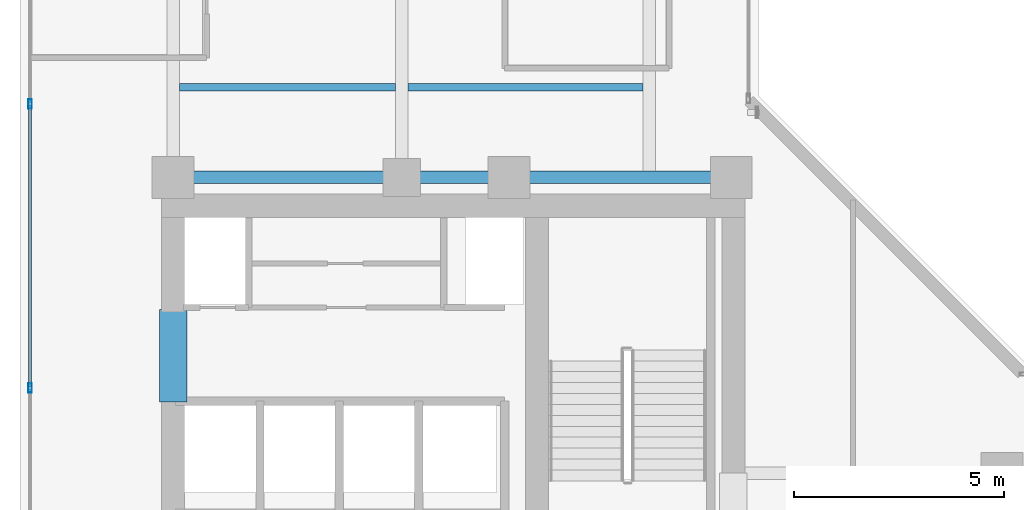
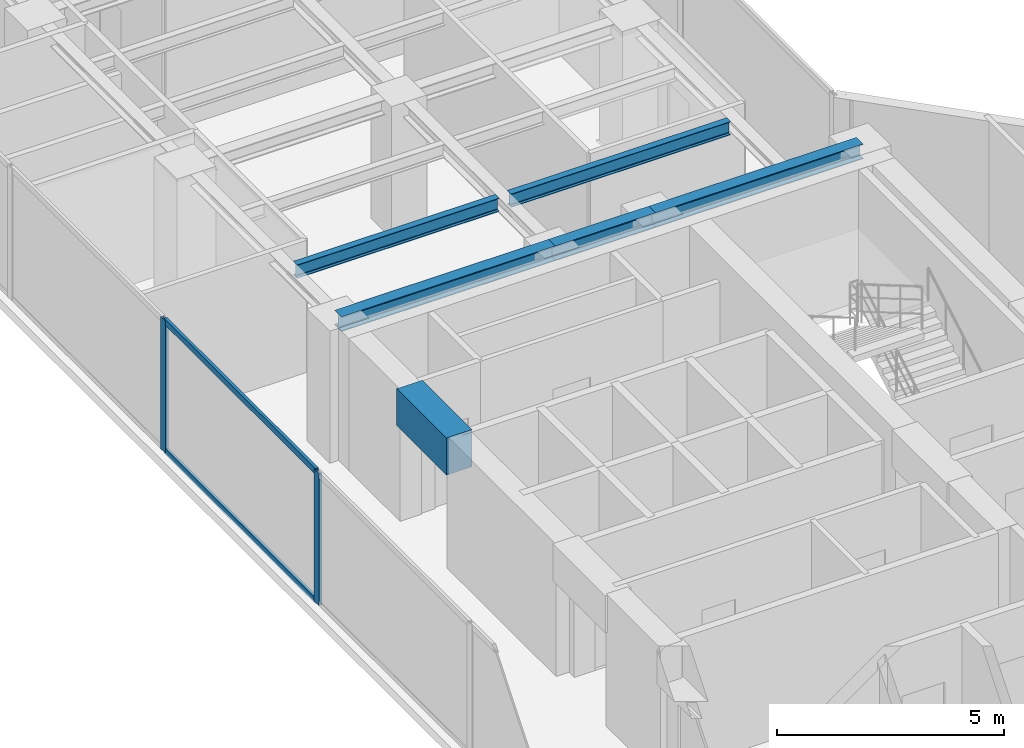
# One storey, part 7 of 24: 6 beams, 4 members, 1 element without a shape of its own.
"""IFC4 building model written with IfcOpenShell, lengths in metres."""

from ifc_helpers import new_model, si_unit, direction, frame, origin, origin_with_axes, origin_2d, place, context, subcontext, project, spatial, rectangle, hollow_rectangle, i_section, extrude, source, transform, mapped, material, layer, layer_set, material_profile, profile_set, type_object, element, aggregate, save


model = new_model("IFC4")

# Units and contexts
model_context = context("Model", 3, precision=1e-05, world=origin(), true_north=direction((0.0, 1.0)))
body_context = subcontext(model_context, "Body", "Model", "MODEL_VIEW")
ifc_project = project(units=[si_unit("LENGTHUNIT", "METRE"), si_unit("AREAUNIT", "SQUARE_METRE"), si_unit("VOLUMEUNIT", "CUBIC_METRE"), si_unit("PLANEANGLEUNIT", "RADIAN"), si_unit("MASSUNIT", "GRAM", prefix="KILO")], contexts=[model_context])

# Site, building, storey
site_placement = place(None, origin())
site = spatial("IfcSite", under=ifc_project, at=site_placement, CompositionType="ELEMENT")
building_placement = place(site_placement, origin())
building = spatial("IfcBuilding", under=site, at=building_placement, Name="Kolvaren Waterfront Exchange", CompositionType="ELEMENT")
storey_placement = place(building_placement, frame((0.0, 0.0, 208.300048828125)))
storey = spatial("IfcBuildingStorey", under=building, at=storey_placement, Name="L53", CompositionType="ELEMENT", Elevation=208.300048828125)

# Beams
ifc_material_1 = material(Name="Steel S355", Category="steel")
ifc_material_profile_1 = material_profile(ifc_material_1, i_section(OverallWidth=0.300048828125, OverallDepth=0.39990234375, WebThickness=0.013427734375, FlangeThickness=0.02392578125, FilletRadius=0.027099609375, at=origin_2d()), Name="HEB400")
ifc_profile_set_1 = profile_set([ifc_material_profile_1], Name="Steel S355")
beam_type_1 = type_object("IfcBeamType", Name="STR-BM-HEB400", PredefinedType="BEAM", material=ifc_profile_set_1)
beam_1_placement = place(storey_placement, frame((7.449951171875, 24.449951171875, 3.35986328125), z_axis=(1.0, 0.0, 0.0), x_axis=(0.0, 1.0, 0.0)))
element("IfcBeam", 1, at=beam_1_placement, inside=storey, type_object=beam_type_1, Name="L53 north-arm girder 1A", PredefinedType="BEAM", context=body_context, shape_type="SweptSolid", body=[
    extrude(i_section(OverallWidth=0.300048828125, OverallDepth=0.39990234375, WebThickness=0.013427734375, FlangeThickness=0.02392578125, FilletRadius=0.027099609375, at=origin_2d()), origin(), (0.0, 0.0, 1.0), 5.449951171875),
])
beam_2_placement = place(storey_placement, frame((12.89990234375, 24.449951171875, 3.35986328125), z_axis=(1.0, 0.0, 0.0), x_axis=(0.0, 1.0, 0.0)))
element("IfcBeam", 2, at=beam_2_placement, inside=storey, type_object=beam_type_1, Name="L53 north-arm girder 1B", PredefinedType="BEAM", context=body_context, shape_type="SweptSolid", body=[
    extrude(i_section(OverallWidth=0.300048828125, OverallDepth=0.39990234375, WebThickness=0.013427734375, FlangeThickness=0.02392578125, FilletRadius=0.027099609375, at=origin_2d()), origin(), (0.0, 0.0, 1.0), 2.550048828125),
])
beam_3_placement = place(storey_placement, frame((15.449951171875, 24.449951171875, 3.35986328125), z_axis=(1.0, 0.0, 0.0), x_axis=(0.0, 1.0, 0.0)))
element("IfcBeam", 3, at=beam_3_placement, inside=storey, type_object=beam_type_1, Name="L53 north-arm girder 1C", PredefinedType="BEAM", context=body_context, shape_type="SweptSolid", body=[
    extrude(i_section(OverallWidth=0.300048828125, OverallDepth=0.39990234375, WebThickness=0.013427734375, FlangeThickness=0.02392578125, FilletRadius=0.027099609375, at=origin_2d()), origin(), (0.0, 0.0, 1.0), 5.300048828125),
])
ifc_material_profile_2 = material_profile(ifc_material_1, i_section(OverallWidth=0.169921875, OverallDepth=0.360107421875, WebThickness=0.008056640625, FlangeThickness=0.0126953125, FilletRadius=0.01806640625, at=origin_2d()), Name="IPE360")
ifc_profile_set_2 = profile_set([ifc_material_profile_2], Name="Steel S355")
beam_type_2 = type_object("IfcBeamType", Name="STR-BM-IPE360", PredefinedType="JOIST", material=ifc_profile_set_2)
beam_4_placement = place(storey_placement, frame((7.60205078125, 26.60009765625, 3.3798828125), z_axis=(1.0, 0.0, 0.0), x_axis=(0.0, 1.0, 0.0)))
element("IfcBeam", 4, at=beam_4_placement, inside=storey, type_object=beam_type_2, Name="L53 north-arm composite joist 1A", PredefinedType="JOIST", context=body_context, shape_type="SweptSolid", body=[
    extrude(i_section(OverallWidth=0.169921875, OverallDepth=0.360107421875, WebThickness=0.008056640625, FlangeThickness=0.0126953125, FilletRadius=0.01806640625, at=origin_2d()), origin(), (0.0, 0.0, 1.0), 5.14599609375),
])
beam_5_placement = place(storey_placement, frame((13.052001953125, 26.60009765625, 3.3798828125), z_axis=(1.0, 0.0, 0.0), x_axis=(0.0, 1.0, 0.0)))
element("IfcBeam", 5, at=beam_5_placement, inside=storey, type_object=beam_type_2, Name="L53 north-arm composite joist 1B", PredefinedType="JOIST", context=body_context, shape_type="SweptSolid", body=[
    extrude(i_section(OverallWidth=0.169921875, OverallDepth=0.360107421875, WebThickness=0.008056640625, FlangeThickness=0.0126953125, FilletRadius=0.01806640625, at=origin_2d()), origin(), (0.0, 0.0, 1.0), 5.595947265625),
])
ifc_material_2 = material(Name="Concrete C60/75", Category="concrete")
ifc_material_profile_3 = material_profile(ifc_material_2, rectangle(XDim=0.64990234375, YDim=1.0, at=origin_2d()), Name="RC-CB-1000x650")
ifc_profile_set_3 = profile_set([ifc_material_profile_3], Name="Concrete C60/75")
beam_type_3 = type_object("IfcBeamType", Name="STR-CB-1000", PredefinedType="SPANDREL", material=ifc_profile_set_3)
beam_6_placement = place(storey_placement, frame((7.449951171875, 19.10009765625, 3.06005859375), z_axis=(0.0, 1.0, 0.0), x_axis=(-1.0, 0.0, 0.0)))
element("IfcBeam", 6, at=beam_6_placement, inside=storey, type_object=beam_type_3, Name="L53 core coupling beam 5", PredefinedType="SPANDREL", context=body_context, shape_type="SweptSolid", body=[
    extrude(rectangle(XDim=0.64990234375, YDim=1.0, at=origin_2d()), origin(), (0.0, 0.0, 1.0), 2.199951171875),
])

# Curtain wall, members
ifc_material_3 = material(Name="Anodised aluminium 6063-T6", Category="aluminium")
ifc_layer = layer(ifc_material_3, 0.219970703125, Name="Anodised aluminium 6063-T6")
ifc_layer_set = layer_set([ifc_layer], Name="Anodised aluminium 6063-T6")
curtain_wall_type = type_object("IfcCurtainWallType", Name="ARC-CW-SYS2", PredefinedType="USERDEFINED", material=ifc_layer_set)
curtain_wall_placement = place(storey_placement, origin())
curtain_wall = element("IfcCurtainWall", 7, at=curtain_wall_placement, inside=storey, type_object=curtain_wall_type, Name="L53 stick curtain wall CW2 (CW-L53-W)", ObjectType="STICK CURTAIN WALL", PredefinedType="USERDEFINED")
ifc_material_profile_4 = material_profile(ifc_material_3, hollow_rectangle(XDim=0.080078125, YDim=0.219970703125, WallThickness=0.0048828125, at=origin_2d()), Name="ALU-MUL-220x80x5")
ifc_profile_set_4 = profile_set([ifc_material_profile_4], Name="Anodised aluminium 6063-T6")
member_type_1 = type_object("IfcMemberType", Name="ARC-CWM-220", PredefinedType="MULLION", material=ifc_profile_set_4)
shared_shape_1 = source(origin_with_axes(), body_context, "Body", "SweptSolid", [
    extrude(hollow_rectangle(XDim=0.080078125, YDim=0.219970703125, WallThickness=0.0048828125, at=origin_2d()), origin(), (0.0, 0.0, 1.0), 3.56005859375),
])
member_1_placement = place(storey_placement, frame((4.0400390625, 19.433349609375, 0.0), z_axis=(0.0, 0.0, 1.0), x_axis=(-1.0, 0.0, 0.0)))
member_1 = element("IfcMember", 8, at=member_1_placement, type_object=member_type_1, Name="CW2 mullion 3", PredefinedType="MULLION", context=body_context, shape_type="MappedRepresentation", body=[
    mapped(shared_shape_1, transform((0.0, 0.0, 0.0), x_axis=(1.0, 0.0, 0.0), y_axis=(0.0, 1.0, 0.0), z_axis=(0.0, 0.0, 1.0), scale=1.0)),
])
member_2_placement = place(storey_placement, frame((4.0400390625, 26.199951171875, 0.0), z_axis=(0.0, 0.0, 1.0), x_axis=(-1.0, 0.0, 0.0)))
member_2 = element("IfcMember", 9, at=member_2_placement, type_object=member_type_1, Name="CW2 mullion 4", PredefinedType="MULLION", context=body_context, shape_type="MappedRepresentation", body=[
    mapped(shared_shape_1, transform((0.0, 0.0, 0.0), x_axis=(1.0, 0.0, 0.0), y_axis=(0.0, 1.0, 0.0), z_axis=(0.0, 0.0, 1.0), scale=1.0)),
])
ifc_material_profile_5 = material_profile(ifc_material_3, hollow_rectangle(XDim=0.074951171875, YDim=0.159912109375, WallThickness=0.00439453125, at=origin_2d()), Name="ALU-TRN-160x75x4.5")
ifc_profile_set_5 = profile_set([ifc_material_profile_5], Name="Anodised aluminium 6063-T6")
member_type_2 = type_object("IfcMemberType", Name="ARC-CWT-160", PredefinedType="USERDEFINED", material=ifc_profile_set_5)
shared_shape_2 = source(origin_with_axes(), body_context, "Body", "SweptSolid", [
    extrude(hollow_rectangle(XDim=0.074951171875, YDim=0.159912109375, WallThickness=0.00439453125, at=origin_2d()), origin(), (0.0, 0.0, 1.0), 6.6865234375),
])
member_3_placement = place(storey_placement, frame((4.0400390625, 19.473388671875, 0.037353515625), z_axis=(0.0, 1.0, 0.0), x_axis=(-1.0, 0.0, 0.0)))
member_3 = element("IfcMember", 10, at=member_3_placement, type_object=member_type_2, Name="CW2 transom 3.1", ObjectType="TRANSOM", PredefinedType="USERDEFINED", context=body_context, shape_type="MappedRepresentation", body=[
    mapped(shared_shape_2, transform((0.0, 0.0, 0.0), x_axis=(1.0, 0.0, 0.0), y_axis=(0.0, 1.0, 0.0), z_axis=(0.0, 0.0, 1.0), scale=1.0)),
])
member_4_placement = place(storey_placement, frame((4.0400390625, 19.473388671875, 3.5224609375), z_axis=(0.0, 1.0, 0.0), x_axis=(-1.0, 0.0, 0.0)))
member_4 = element("IfcMember", 11, at=member_4_placement, type_object=member_type_2, Name="CW2 transom 3.2", ObjectType="TRANSOM", PredefinedType="USERDEFINED", context=body_context, shape_type="MappedRepresentation", body=[
    mapped(shared_shape_2, transform((0.0, 0.0, 0.0), x_axis=(1.0, 0.0, 0.0), y_axis=(0.0, 1.0, 0.0), z_axis=(0.0, 0.0, 1.0), scale=1.0)),
])
aggregate(curtain_wall, [member_1, member_2, member_3, member_4])

save(model, "model.ifc")
